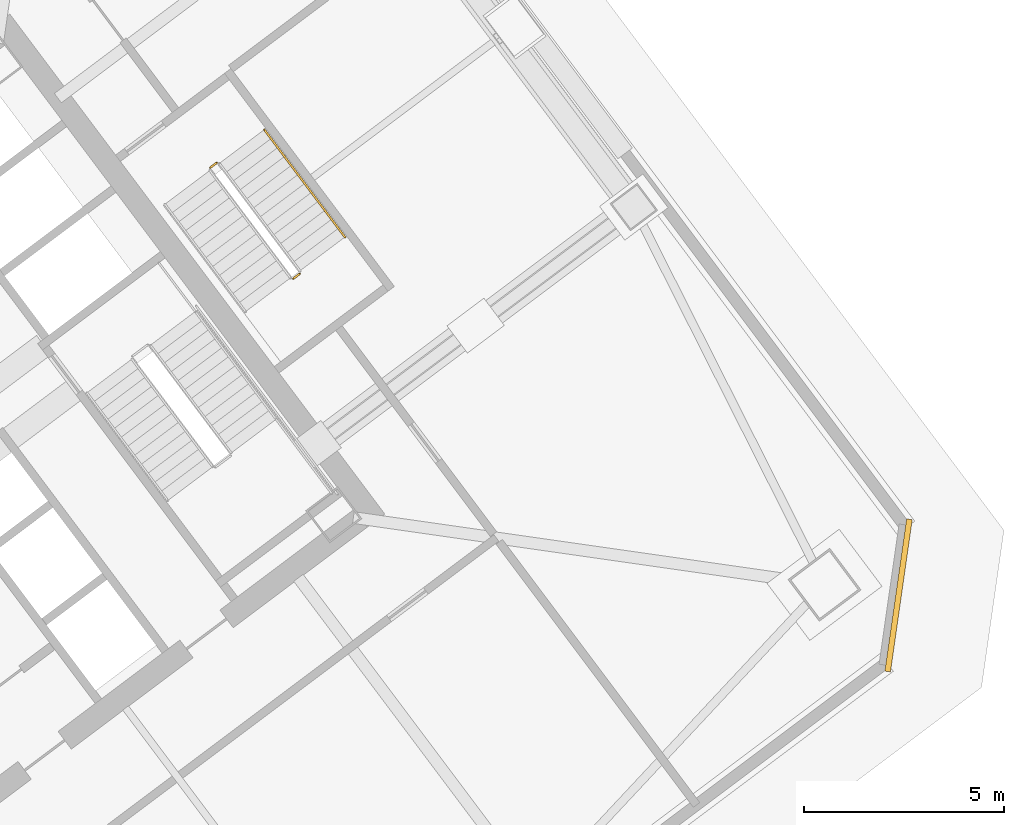
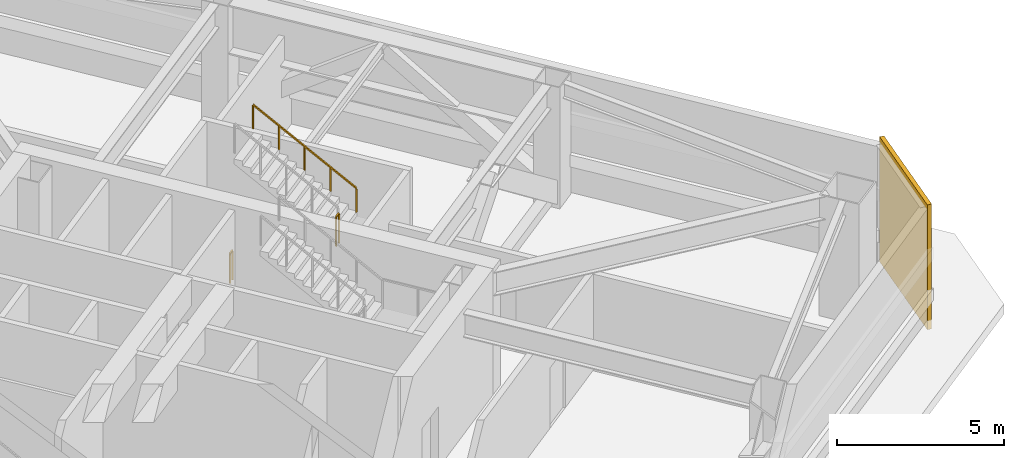
# One storey, part 14 of 15: 3 railings, 1 covering.
"""IFC4 building model written with IfcOpenShell, lengths in metres."""

from ifc_helpers import new_model, si_unit, direction, frame, origin, origin_2d, place, context, subcontext, project, spatial, rectangle, extrude, material, layer, layer_set, type_object, element, save


model = new_model("IFC4")

# Units and contexts
model_context = context("Model", 3, precision=1e-05, world=origin(), true_north=direction((0.0, 1.0)))
body_context = subcontext(model_context, "Body", "Model", "MODEL_VIEW")
ifc_project = project(units=[si_unit("LENGTHUNIT", "METRE"), si_unit("AREAUNIT", "SQUARE_METRE"), si_unit("VOLUMEUNIT", "CUBIC_METRE"), si_unit("PLANEANGLEUNIT", "RADIAN"), si_unit("MASSUNIT", "GRAM", prefix="KILO")], contexts=[model_context])

# Site, building, storey
site_placement = place(None, origin())
site = spatial("IfcSite", under=ifc_project, at=site_placement, CompositionType="ELEMENT")
building_placement = place(site_placement, origin())
building = spatial("IfcBuilding", under=site, at=building_placement, Name="Tashvorn Skyway Center", CompositionType="ELEMENT")
storey_placement = place(building_placement, frame((0.0, 0.0, 109.800048828125)))
storey = spatial("IfcBuildingStorey", under=building, at=storey_placement, Name="L29", CompositionType="ELEMENT", Elevation=109.800048828125)

# Covering
ifc_material_1 = material(Name="Precast concrete C40/50", Category="concrete")
ifc_layer = layer(ifc_material_1, 0.35009765625)
ifc_layer_set = layer_set([ifc_layer], Name="Precast concrete C40/50")
covering_type = type_object("IfcCoveringType", Name="COV-STONE-TRIM", PredefinedType="CLADDING", material=ifc_layer_set)
covering_placement = place(storey_placement, frame((137.968017578125, 28.575927734375, 0.02001953125), z_axis=(0.0, 0.0, 1.0), x_axis=(0.141421350118, 0.989949494535, 0.0)))
element("IfcCovering", 1, at=covering_placement, inside=storey, type_object=covering_type, Name="Tower 2 L29 SE Mojave Limestone Corner Quoin", PredefinedType="CLADDING", context=body_context, shape_type="SweptSolid", body=[
    extrude(rectangle(XDim=3.8369140625, YDim=0.139892578125, at=origin_2d()), origin(), (0.0, 0.0, 1.0), 4.56005859375),
])

# Railings
ifc_material_2 = material(Name="Brushed stainless steel 316", Category="steel")
railing_type_1 = type_object("IfcRailingType", Name="RAIL-HAND-920", PredefinedType="HANDRAIL", material=ifc_material_2)
railing_1_placement = place(storey_placement, frame((124.152099609375, 37.513916015625, 2.476806640625)))
element("IfcRailing", 2, at=railing_1_placement, inside=storey, type_object=railing_type_1, Name="L29 ST-T2-3 stair handrail 2", PredefinedType="HANDRAIL", context=body_context, shape_type="SweptSolid", body=[
    extrude(rectangle(XDim=0.048095703125, YDim=0.048095703125, at=origin_2d()), frame((0.0, 0.0, 0.8759765625), z_axis=(-0.507251334297, 0.676294162098, 0.53415567971), x_axis=(-0.79998256135, -0.600023250829, 0.0)), (0.0, 0.0, 1.0), 3.974609375),
    extrude(rectangle(XDim=0.0419921875, YDim=0.0419921875, at=origin_2d()), origin(), (0.0, 0.0, 1.0), 0.851806640625),
    extrude(rectangle(XDim=0.0419921875, YDim=0.0419921875, at=origin_2d()), frame((-0.50390625, 0.671875, 0.53076171875)), (0.0, 0.0, 1.0), 0.851806640625),
    extrude(rectangle(XDim=0.0419921875, YDim=0.0419921875, at=origin_2d()), frame((-1.008056640625, 1.343994140625, 1.0615234375)), (0.0, 0.0, 1.0), 0.851806640625),
    extrude(rectangle(XDim=0.0419921875, YDim=0.0419921875, at=origin_2d()), frame((-1.51220703125, 2.01611328125, 1.59228515625)), (0.0, 0.0, 1.0), 0.851806640625),
    extrude(rectangle(XDim=0.0419921875, YDim=0.0419921875, at=origin_2d()), frame((-2.01611328125, 2.68798828125, 2.123046875)), (0.0, 0.0, 1.0), 0.851806640625),
])
ifc_material_3 = material(Name="Painted galvanized steel S355", Category="steel")
railing_type_2 = type_object("IfcRailingType", Name="RAIL-STGUARD-1100", PredefinedType="GUARDRAIL", material=ifc_material_3)
railing_2_placement = place(storey_placement, frame((122.862060546875, 36.48388671875, 2.300048828125)))
element("IfcRailing", 3, at=railing_2_placement, inside=storey, type_object=railing_type_2, Name="L29 ST-T2-3 stair guard 2", PredefinedType="GUARDRAIL", context=body_context, shape_type="SweptSolid", body=[
    extrude(rectangle(XDim=0.048095703125, YDim=0.048095703125, at=origin_2d()), frame((0.0, 0.0, 1.076171875), z_axis=(0.799560332416, 0.60058577641, 0.0), x_axis=(-0.60058577641, 0.799560332416, 0.0)), (0.0, 0.0, 1.0), 0.199951171875),
    extrude(rectangle(XDim=0.0419921875, YDim=0.0419921875, at=origin_2d()), origin(), (0.0, 0.0, 1.0), 1.052001953125),
    extrude(rectangle(XDim=0.0419921875, YDim=0.0419921875, at=origin_2d()), frame((0.159912109375, 0.1201171875, 0.0)), (0.0, 0.0, 1.0), 1.052001953125),
])
railing_3_placement = place(storey_placement, frame((120.785888671875, 39.251953125, 0.0)))
element("IfcRailing", 4, at=railing_3_placement, inside=storey, type_object=railing_type_2, Name="L29 ST-T2-3 stair guard 4", PredefinedType="GUARDRAIL", context=body_context, shape_type="SweptSolid", body=[
    extrude(rectangle(XDim=0.048095703125, YDim=0.048095703125, at=origin_2d()), frame((0.0, 0.0, 1.076171875), z_axis=(0.8, 0.6, 0.0), x_axis=(-0.6, 0.8, 0.0)), (0.0, 0.0, 1.0), 0.2001953125),
    extrude(rectangle(XDim=0.0419921875, YDim=0.0419921875, at=origin_2d()), origin(), (0.0, 0.0, 1.0), 1.052001953125),
    extrude(rectangle(XDim=0.0419921875, YDim=0.0419921875, at=origin_2d()), frame((0.16015625, 0.1201171875, 0.0)), (0.0, 0.0, 1.0), 1.052001953125),
])

save(model, "model.ifc")
